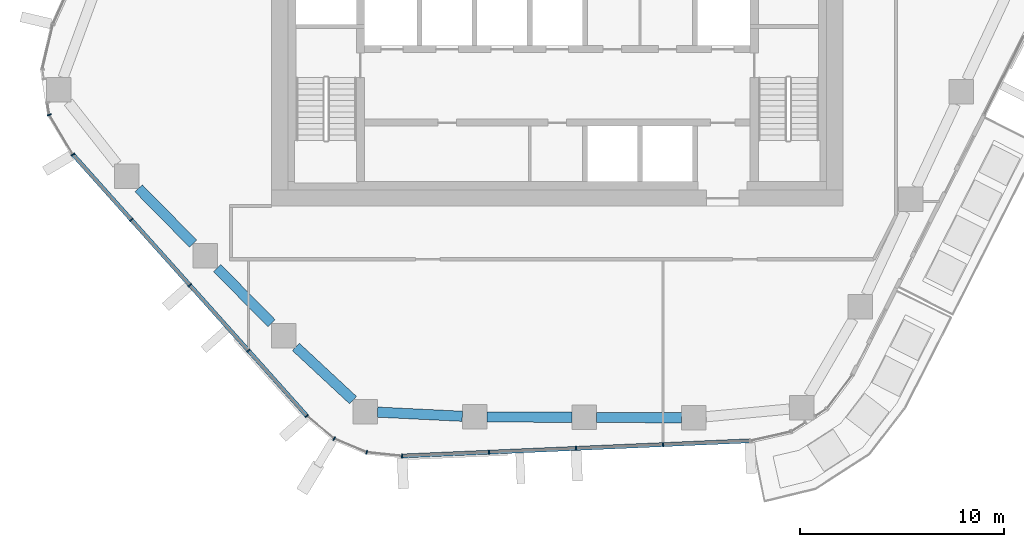
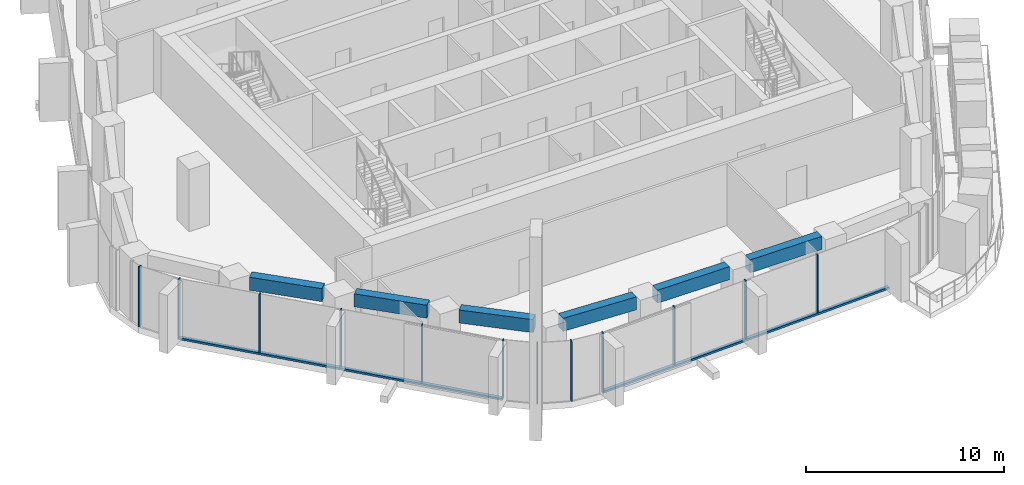
# One storey, part 2 of 18: 14 members, 6 beams, 4 elements without a shape of their own.
"""IFC4 building model written with IfcOpenShell, lengths in metres."""

from ifc_helpers import new_model, si_unit, direction, frame, origin, origin_2d, place, context, subcontext, project, spatial, rectangle, extrude, material, layer, layer_set, material_profile, profile_set, type_object, element, aggregate, save


model = new_model("IFC4")

# Units and contexts
model_context = context("Model", 3, precision=1e-05, world=origin(), true_north=direction((0.0, 1.0)))
body_context = subcontext(model_context, "Body", "Model", "MODEL_VIEW")
ifc_project = project(units=[si_unit("LENGTHUNIT", "METRE"), si_unit("AREAUNIT", "SQUARE_METRE"), si_unit("VOLUMEUNIT", "CUBIC_METRE"), si_unit("PLANEANGLEUNIT", "RADIAN"), si_unit("MASSUNIT", "GRAM", prefix="KILO")], contexts=[model_context])

# Site, building, storey
site_placement = place(None, origin())
site = spatial("IfcSite", under=ifc_project, at=site_placement, CompositionType="ELEMENT")
building_placement = place(site_placement, origin())
building = spatial("IfcBuilding", under=site, at=building_placement, Name="Dongbaek Canopy Tower", CompositionType="ELEMENT")
storey_placement = place(building_placement, frame((0.0, 0.0, 171.199951171875)))
storey = spatial("IfcBuildingStorey", under=building, at=storey_placement, Name="L37", CompositionType="ELEMENT", Elevation=171.199951171875)

# Curtain wall, members
ifc_material_1 = material(Name="Aluminium 6063-T6 pale anodised", Category="aluminium")
ifc_layer = layer(ifc_material_1, 0.199951171875)
ifc_layer_set = layer_set([ifc_layer], Name="CW-1 unitised tower curtain wall")
curtain_wall_type = type_object("IfcCurtainWallType", Name="CW-1 unitised tower curtain wall", PredefinedType="NOTDEFINED", material=ifc_layer_set)
curtain_wall_1_placement = place(storey_placement, origin())
curtain_wall_1 = element("IfcCurtainWall", 1, at=curtain_wall_1_placement, inside=storey, type_object=curtain_wall_type, Name="CW-1 curtain wall K3.1b", PredefinedType="NOTDEFINED")
ifc_material_2 = material(Name="Aluminium 6063-T6 pale anodised", Category="aluminium")
ifc_material_profile_1 = material_profile(ifc_material_2, rectangle(XDim=0.199951171875, YDim=0.06005859375, at=origin_2d()), Name="CW-1 mullion 60 x 200")
ifc_profile_set_1 = profile_set([ifc_material_profile_1], Name="Aluminium 6063-T6 pale anodised")
member_type_1 = type_object("IfcMemberType", Name="CW-1 mullion 60 x 200", PredefinedType="MULLION", material=ifc_profile_set_1)
member_1_placement = place(storey_placement, frame((-24.892822265625, -6.522216796875, 0.0), z_axis=(0.0, 0.0, 1.0), x_axis=(-0.94105791196, -0.33824548236, 0.0)))
member_1 = element("IfcMember", 2, at=member_1_placement, type_object=member_type_1, Name="CW-1 mullion K3.1b.2", PredefinedType="MULLION", context=body_context, shape_type="SweptSolid", body=[
    extrude(rectangle(XDim=0.199951171875, YDim=0.06005859375, at=origin_2d()), origin(), (0.0, 0.0, 1.0), 3.699951171875),
])
member_2_placement = place(storey_placement, frame((-23.732666015625, -8.46875, 0.0), z_axis=(0.0, 0.0, 1.0), x_axis=(-0.858991947801, -0.511989095209, 0.0)))
member_2 = element("IfcMember", 3, at=member_2_placement, type_object=member_type_1, Name="CW-1 mullion K3.1b.3", PredefinedType="MULLION", context=body_context, shape_type="SweptSolid", body=[
    extrude(rectangle(XDim=0.199951171875, YDim=0.06005859375, at=origin_2d()), origin(), (0.0, 0.0, 1.0), 3.699951171875),
])
aggregate(curtain_wall_1, [member_1, member_2])

curtain_wall_2_placement = place(storey_placement, origin())
curtain_wall_2 = element("IfcCurtainWall", 4, at=curtain_wall_2_placement, inside=storey, type_object=curtain_wall_type, Name="CW-1 curtain wall F3.1", PredefinedType="NOTDEFINED")
member_3_placement = place(storey_placement, frame((-20.871337890625, -11.66650390625, 0.1201171875), z_axis=(0.0, 0.0, 1.0), x_axis=(-0.745210570308, -0.666829217942, 0.0)))
member_3 = element("IfcMember", 5, at=member_3_placement, type_object=member_type_1, Name="CW-1 mullion F3.1.2", PredefinedType="MULLION", context=body_context, shape_type="SweptSolid", body=[
    extrude(rectangle(XDim=0.199951171875, YDim=0.06005859375, at=origin_2d()), origin(), (0.0, 0.0, 1.0), 3.579833984375),
])
member_4_placement = place(storey_placement, frame((-18.00341796875, -14.871337890625, 0.1201171875), z_axis=(0.0, 0.0, 1.0), x_axis=(-0.745210570308, -0.666829217942, 0.0)))
member_4 = element("IfcMember", 6, at=member_4_placement, type_object=member_type_1, Name="CW-1 mullion F3.1.3", PredefinedType="MULLION", context=body_context, shape_type="SweptSolid", body=[
    extrude(rectangle(XDim=0.199951171875, YDim=0.06005859375, at=origin_2d()), origin(), (0.0, 0.0, 1.0), 3.579833984375),
])
member_5_placement = place(storey_placement, frame((-15.135498046875, -18.076416015625, 0.1201171875), z_axis=(0.0, 0.0, 1.0), x_axis=(-0.745210570308, -0.666829217942, 0.0)))
member_5 = element("IfcMember", 7, at=member_5_placement, type_object=member_type_1, Name="CW-1 mullion F3.1.4", PredefinedType="MULLION", context=body_context, shape_type="SweptSolid", body=[
    extrude(rectangle(XDim=0.199951171875, YDim=0.06005859375, at=origin_2d()), origin(), (0.0, 0.0, 1.0), 3.579833984375),
])
member_6_placement = place(storey_placement, frame((-12.2724609375, -21.27587890625, 0.1201171875), z_axis=(0.0, 0.0, 1.0), x_axis=(-0.745210570308, -0.666829217942, 0.0)))
member_6 = element("IfcMember", 8, at=member_6_placement, type_object=member_type_1, Name="CW-1 mullion F3.1.5", PredefinedType="MULLION", context=body_context, shape_type="SweptSolid", body=[
    extrude(rectangle(XDim=0.199951171875, YDim=0.06005859375, at=origin_2d()), origin(), (0.0, 0.0, 1.0), 3.579833984375),
])

curtain_wall_3_placement = place(storey_placement, origin())
curtain_wall_3 = element("IfcCurtainWall", 9, at=curtain_wall_3_placement, inside=storey, type_object=curtain_wall_type, Name="CW-1 curtain wall K4.1", PredefinedType="NOTDEFINED")
member_7_placement = place(storey_placement, frame((-10.93408203125, -22.388427734375, 0.0), z_axis=(0.0, 0.0, 1.0), x_axis=(-0.519286368933, -0.854600296654, 0.0)))
member_7 = element("IfcMember", 10, at=member_7_placement, type_object=member_type_1, Name="CW-1 mullion K4.1.2", PredefinedType="MULLION", context=body_context, shape_type="SweptSolid", body=[
    extrude(rectangle(XDim=0.199951171875, YDim=0.06005859375, at=origin_2d()), origin(), (0.0, 0.0, 1.0), 3.699951171875),
])
member_8_placement = place(storey_placement, frame((-9.3369140625, -23.06103515625, 0.0), z_axis=(0.0, 0.0, 1.0), x_axis=(-0.248547897881, -0.968619606687, 0.0)))
member_8 = element("IfcMember", 11, at=member_8_placement, type_object=member_type_1, Name="CW-1 mullion K4.1.3", PredefinedType="MULLION", context=body_context, shape_type="SweptSolid", body=[
    extrude(rectangle(XDim=0.199951171875, YDim=0.06005859375, at=origin_2d()), origin(), (0.0, 0.0, 1.0), 3.699951171875),
])
member_9_placement = place(storey_placement, frame((-7.60595703125, -23.2412109375, 0.0), z_axis=(0.0, 0.0, 1.0), x_axis=(-0.103577283883, -0.994621408509, 0.0)))
member_9 = element("IfcMember", 12, at=member_9_placement, type_object=member_type_1, Name="CW-1 mullion K4.1.4", PredefinedType="MULLION", context=body_context, shape_type="SweptSolid", body=[
    extrude(rectangle(XDim=0.199951171875, YDim=0.06005859375, at=origin_2d()), origin(), (0.0, 0.0, 1.0), 3.699951171875),
])
aggregate(curtain_wall_3, [member_7, member_8, member_9])

curtain_wall_4_placement = place(storey_placement, origin())
curtain_wall_4 = element("IfcCurtainWall", 13, at=curtain_wall_4_placement, inside=storey, type_object=curtain_wall_type, Name="CW-1 curtain wall F4.1", PredefinedType="NOTDEFINED")
member_10_placement = place(storey_placement, frame((-3.347900390625, -23.05517578125, 0.1201171875), z_axis=(0.0, 0.0, 1.0), x_axis=(0.043640187851, -0.999047313196, 0.0)))
member_10 = element("IfcMember", 14, at=member_10_placement, type_object=member_type_1, Name="CW-1 mullion F4.1.2", PredefinedType="MULLION", context=body_context, shape_type="SweptSolid", body=[
    extrude(rectangle(XDim=0.199951171875, YDim=0.06005859375, at=origin_2d()), origin(), (0.0, 0.0, 1.0), 3.579833984375),
])
member_11_placement = place(storey_placement, frame((0.91748046875, -22.868896484375, 0.1201171875), z_axis=(0.0, 0.0, 1.0), x_axis=(0.043640187851, -0.999047313196, 0.0)))
member_11 = element("IfcMember", 15, at=member_11_placement, type_object=member_type_1, Name="CW-1 mullion F4.1.3", PredefinedType="MULLION", context=body_context, shape_type="SweptSolid", body=[
    extrude(rectangle(XDim=0.199951171875, YDim=0.06005859375, at=origin_2d()), origin(), (0.0, 0.0, 1.0), 3.579833984375),
])
member_12_placement = place(storey_placement, frame((5.18310546875, -22.6826171875, 0.1201171875), z_axis=(0.0, 0.0, 1.0), x_axis=(0.043640187851, -0.999047313196, 0.0)))
member_12 = element("IfcMember", 16, at=member_12_placement, type_object=member_type_1, Name="CW-1 mullion F4.1.4", PredefinedType="MULLION", context=body_context, shape_type="SweptSolid", body=[
    extrude(rectangle(XDim=0.199951171875, YDim=0.06005859375, at=origin_2d()), origin(), (0.0, 0.0, 1.0), 3.579833984375),
])

# Member
ifc_material_3 = material(Name="Aluminium 6063-T6 pale anodised", Category="aluminium")
ifc_material_profile_2 = material_profile(ifc_material_3, rectangle(XDim=0.199951171875, YDim=0.1201171875, at=origin_2d()), Name="CW-1 transom 120 x 200")
ifc_profile_set_2 = profile_set([ifc_material_profile_2], Name="Aluminium 6063-T6 pale anodised")
member_type_2 = type_object("IfcMemberType", Name="CW-1 transom 120 x 200", PredefinedType="USERDEFINED", material=ifc_profile_set_2)
member_13_placement = place(storey_placement, frame((-23.732666015625, -8.46875, 0.06005859375), z_axis=(0.666833476439, -0.745206759699, 0.0), x_axis=(0.745206759699, 0.666833476439, 0.0)))
member_13 = element("IfcMember", 17, at=member_13_placement, type_object=member_type_2, Name="CW-1 transom F3.1.1", ObjectType="TRANSOM", PredefinedType="USERDEFINED", context=body_context, shape_type="SweptSolid", body=[
    extrude(rectangle(XDim=0.199951171875, YDim=0.1201171875, at=origin_2d()), origin(), (0.0, 0.0, 1.0), 17.18603515625),
])

aggregate(curtain_wall_2, [member_3, member_4, member_5, member_6, member_13])

member_14_placement = place(storey_placement, frame((-7.60595703125, -23.2412109375, 0.06005859375), z_axis=(0.999047200773, 0.04364276146, 0.0), x_axis=(-0.04364276146, 0.999047200773, 0.0)))
member_14 = element("IfcMember", 18, at=member_14_placement, type_object=member_type_2, Name="CW-1 transom F4.1.1", ObjectType="TRANSOM", PredefinedType="USERDEFINED", context=body_context, shape_type="SweptSolid", body=[
    extrude(rectangle(XDim=0.199951171875, YDim=0.1201171875, at=origin_2d()), origin(), (0.0, 0.0, 1.0), 17.06201171875),
])

aggregate(curtain_wall_4, [member_10, member_11, member_12, member_14])

# Beams
ifc_material_4 = material(Name="Concrete C70", Category="concrete")
ifc_material_profile_3 = material_profile(ifc_material_4, rectangle(XDim=0.5, YDim=0.800048828125, at=origin_2d()), Name="RC EDGE BEAM 500x800 C70")
ifc_profile_set_3 = profile_set([ifc_material_profile_3], Name="Concrete C70")
beam_type = type_object("IfcBeamType", Name="RC EDGE BEAM 500x800 C70", PredefinedType="BEAM", material=ifc_profile_set_3)
beam_1_placement = place(storey_placement, frame((6.097900390625, -21.369384765625, 3.420166015625), z_axis=(-0.999989872655, 0.004500509685, 0.0), x_axis=(-0.004500509685, -0.999989872655, 0.0)))
element("IfcBeam", 19, at=beam_1_placement, inside=storey, type_object=beam_type, Name="EDGEBEAM:L37:01", PredefinedType="BEAM", context=body_context, shape_type="SweptSolid", body=[
    extrude(rectangle(XDim=0.5, YDim=0.800048828125, at=origin_2d()), origin(), (0.0, 0.0, 1.0), 4.177001953125),
])
beam_2_placement = place(storey_placement, frame((0.720947265625, -21.34521484375, 3.420166015625), z_axis=(-0.999990129376, 0.004443101423, 0.0), x_axis=(-0.004443101423, -0.999990129376, 0.0)))
element("IfcBeam", 20, at=beam_2_placement, inside=storey, type_object=beam_type, Name="EDGEBEAM:L37:02", PredefinedType="BEAM", context=body_context, shape_type="SweptSolid", body=[
    extrude(rectangle(XDim=0.5, YDim=0.800048828125, at=origin_2d()), origin(), (0.0, 0.0, 1.0), 4.176025390625),
])
beam_3_placement = place(storey_placement, frame((-4.655029296875, -21.29443359375, 3.420166015625), z_axis=(-0.998797460552, 0.04902685789, 0.0), x_axis=(-0.04902685789, -0.998797460552, 0.0)))
element("IfcBeam", 21, at=beam_3_placement, inside=storey, type_object=beam_type, Name="EDGEBEAM:L37:03", PredefinedType="BEAM", context=body_context, shape_type="SweptSolid", body=[
    extrude(rectangle(XDim=0.5, YDim=0.800048828125, at=origin_2d()), origin(), (0.0, 0.0, 1.0), 4.157958984375),
])
beam_4_placement = place(storey_placement, frame((-10.008056640625, -20.5029296875, 3.420166015625), z_axis=(-0.732259249265, 0.681025984722, 0.0), x_axis=(-0.681025984722, -0.732259249265, 0.0)))
element("IfcBeam", 22, at=beam_4_placement, inside=storey, type_object=beam_type, Name="EDGEBEAM:L37:04", PredefinedType="BEAM", context=body_context, shape_type="SweptSolid", body=[
    extrude(rectangle(XDim=0.5, YDim=0.800048828125, at=origin_2d()), origin(), (0.0, 0.0, 1.0), 3.826416015625),
])
beam_5_placement = place(storey_placement, frame((-14.0009765625, -16.739013671875, 3.420166015625), z_axis=(-0.701688575516, 0.71248378437, 0.0), x_axis=(-0.71248378437, -0.701688575516, 0.0)))
element("IfcBeam", 23, at=beam_5_placement, inside=storey, type_object=beam_type, Name="EDGEBEAM:L37:05", PredefinedType="BEAM", context=body_context, shape_type="SweptSolid", body=[
    extrude(rectangle(XDim=0.5, YDim=0.800048828125, at=origin_2d()), origin(), (0.0, 0.0, 1.0), 3.79931640625),
])
beam_6_placement = place(storey_placement, frame((-17.848876953125, -12.83203125, 3.420166015625), z_axis=(-0.701721192392, 0.712451660218, 0.0), x_axis=(-0.712451660218, -0.701721192392, 0.0)))
element("IfcBeam", 24, at=beam_6_placement, inside=storey, type_object=beam_type, Name="EDGEBEAM:L37:06", PredefinedType="BEAM", context=body_context, shape_type="SweptSolid", body=[
    extrude(rectangle(XDim=0.5, YDim=0.800048828125, at=origin_2d()), origin(), (0.0, 0.0, 1.0), 3.799560546875),
])

save(model, "model.ifc")
